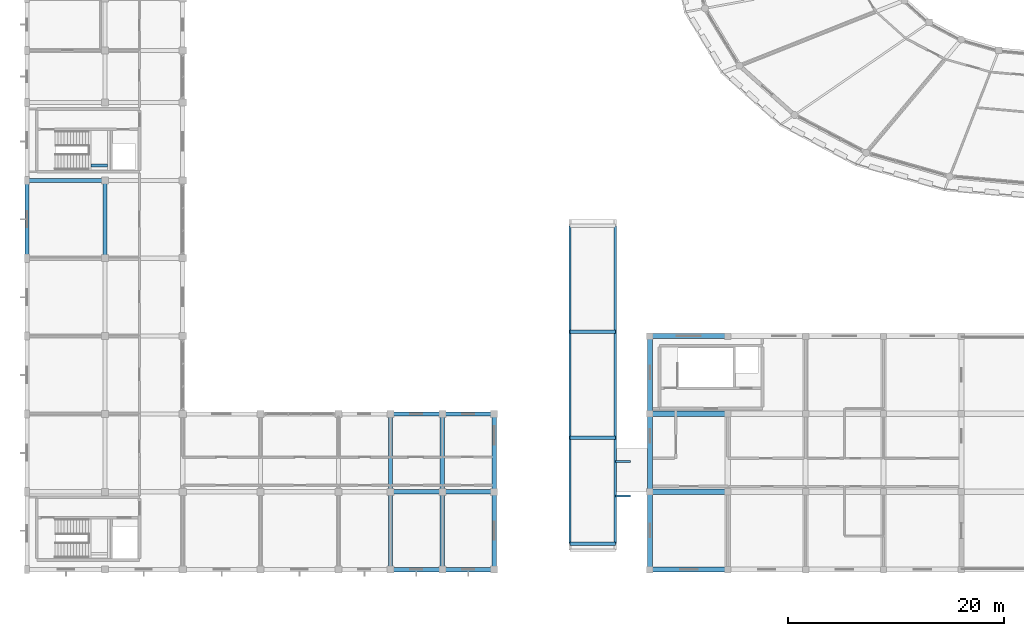
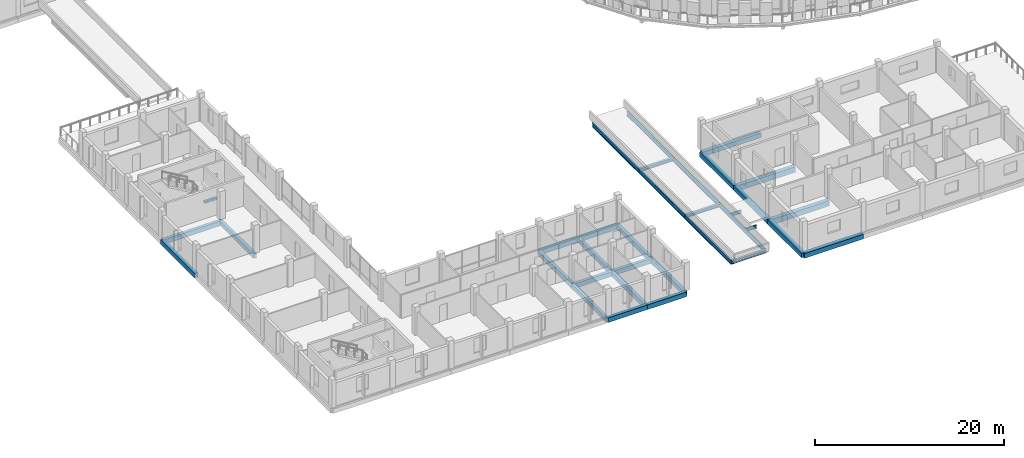
# One storey, part 8 of 93: 34 beams.
"""IFC4 building model written with IfcOpenShell, lengths in metres."""

from ifc_helpers import new_model, si_unit, direction, frame, origin, origin_2d, place, context, subcontext, project, spatial, rectangle, i_section, extrude, material, material_profile, profile_set, type_object, element, save


model = new_model("IFC4")

# Units and contexts
model_context = context("Model", 3, precision=1e-05, world=origin(), true_north=direction((0.0, 1.0)))
body_context = subcontext(model_context, "Body", "Model", "MODEL_VIEW")
ifc_project = project(units=[si_unit("LENGTHUNIT", "METRE"), si_unit("AREAUNIT", "SQUARE_METRE"), si_unit("VOLUMEUNIT", "CUBIC_METRE"), si_unit("PLANEANGLEUNIT", "RADIAN"), si_unit("MASSUNIT", "GRAM", prefix="KILO")], contexts=[model_context])

# Site, building, storey
site_placement = place(None, origin())
site = spatial("IfcSite", under=ifc_project, at=site_placement, CompositionType="ELEMENT")
building_placement = place(site_placement, origin())
building = spatial("IfcBuilding", under=site, at=building_placement, Name="Zornivar Specialist Clinic", CompositionType="ELEMENT")
storey_placement = place(building_placement, frame((0.0, 0.0, 8.39990234375)))
storey = spatial("IfcBuildingStorey", under=building, at=storey_placement, Name="L02", CompositionType="ELEMENT", Elevation=8.39990234375)

# Beams
ifc_material_1 = material(Name="Concrete C30/37", Category="concrete")
ifc_material_profile_1 = material_profile(ifc_material_1, rectangle(XDim=0.25, YDim=0.300048828125, at=origin_2d()), Name="RC 250x300")
ifc_profile_set_1 = profile_set([ifc_material_profile_1], Name="Concrete C30/37")
beam_type_1 = type_object("IfcBeamType", Name="BM-LAND-250x300", PredefinedType="BEAM", material=ifc_profile_set_1)
beam_1_placement = place(storey_placement, frame((5.93505859375, 37.3798828125, 1.6201171875), z_axis=(1.0, 0.0, 0.0), x_axis=(0.0, 1.0, 0.0)))
element("IfcBeam", 1, at=beam_1_placement, inside=storey, type_object=beam_type_1, Name="bm:stair:C2:L02:lS", PredefinedType="BEAM", context=body_context, shape_type="SweptSolid", body=[
    extrude(rectangle(XDim=0.25, YDim=0.300048828125, at=origin_2d()), origin(), (0.0, 0.0, 1.0), 1.489990234375),
])
ifc_material_2 = material(Name="Concrete C30/37", Category="concrete")
ifc_material_profile_2 = material_profile(ifc_material_2, rectangle(XDim=0.3798828125, YDim=0.60009765625, at=origin_2d()), Name="RC 380x600")
ifc_profile_set_2 = profile_set([ifc_material_profile_2], Name="Concrete C30/37")
beam_type_2 = type_object("IfcBeamType", Name="BM-RC-380x600", PredefinedType="BEAM", material=ifc_profile_set_2)
beam_2_placement = place(storey_placement, frame((33.60009765625, 7.199951171875, -0.579833984375), z_axis=(1.0, 0.0, 0.0), x_axis=(0.0, 1.0, 0.0)))
element("IfcBeam", 2, at=beam_2_placement, inside=storey, type_object=beam_type_2, Name="bm:V2:L02:x:72:5", PredefinedType="BEAM", context=body_context, shape_type="SweptSolid", body=[
    extrude(rectangle(XDim=0.3798828125, YDim=0.60009765625, at=origin_2d()), origin(), (0.0, 0.0, 1.0), 4.7998046875),
])
beam_3_placement = place(storey_placement, frame((38.39990234375, 7.199951171875, -0.579833984375), z_axis=(1.0, 0.0, 0.0), x_axis=(0.0, 1.0, 0.0)))
element("IfcBeam", 3, at=beam_3_placement, inside=storey, type_object=beam_type_2, Name="bm:V2:L02:x:72:6", PredefinedType="BEAM", context=body_context, shape_type="SweptSolid", body=[
    extrude(rectangle(XDim=0.3798828125, YDim=0.60009765625, at=origin_2d()), origin(), (0.0, 0.0, 1.0), 4.800048828125),
])
beam_4_placement = place(storey_placement, frame((33.60009765625, 14.39990234375, -0.579833984375), z_axis=(1.0, 0.0, 0.0), x_axis=(0.0, 1.0, 0.0)))
element("IfcBeam", 4, at=beam_4_placement, inside=storey, type_object=beam_type_2, Name="bm:V2:L02:x:144:5", PredefinedType="BEAM", context=body_context, shape_type="SweptSolid", body=[
    extrude(rectangle(XDim=0.3798828125, YDim=0.60009765625, at=origin_2d()), origin(), (0.0, 0.0, 1.0), 4.7998046875),
])
beam_5_placement = place(storey_placement, frame((38.39990234375, 14.39990234375, -0.579833984375), z_axis=(1.0, 0.0, 0.0), x_axis=(0.0, 1.0, 0.0)))
element("IfcBeam", 5, at=beam_5_placement, inside=storey, type_object=beam_type_2, Name="bm:V2:L02:x:144:6", PredefinedType="BEAM", context=body_context, shape_type="SweptSolid", body=[
    extrude(rectangle(XDim=0.3798828125, YDim=0.60009765625, at=origin_2d()), origin(), (0.0, 0.0, 1.0), 4.800048828125),
])
for number, where, z_axis, x_axis, name in (
    (6, (0.0, 36.0, -0.579833984375), (1.0, 0.0, 0.0), (0.0, 1.0, 0.0), "bm:V2:L02:x:360:0"),
    (7, (7.199951171875, 28.800048828125, -0.579833984375), (0.0, 1.0, 0.0), (-1.0, 0.0, 0.0), "bm:V2:L02:y:72:4"),
    (8, (33.60009765625, 0.0, -0.579833984375), (0.0, 1.0, 0.0), (-1.0, 0.0, 0.0), "bm:V2:L02:y:336:0"),
    (9, (33.60009765625, 7.199951171875, -0.579833984375), (0.0, 1.0, 0.0), (-1.0, 0.0, 0.0), "bm:V2:L02:y:336:1"),
    (10, (38.39990234375, 0.0, -0.579833984375), (0.0, 1.0, 0.0), (-1.0, 0.0, 0.0), "bm:V2:L02:y:384:0"),
    (11, (38.39990234375, 7.199951171875, -0.579833984375), (0.0, 1.0, 0.0), (-1.0, 0.0, 0.0), "bm:V2:L02:y:384:1"),
):
    element("IfcBeam", number, at=place(storey_placement, frame(where, z_axis=z_axis, x_axis=x_axis)), inside=storey, type_object=beam_type_2, Name=name, PredefinedType="BEAM", context=body_context, shape_type="SweptSolid", body=[
        extrude(rectangle(XDim=0.3798828125, YDim=0.60009765625, at=origin_2d()), origin(), (0.0, 0.0, 1.0), 7.199951171875),
    ])
ifc_material_3 = material(Name="Concrete C30/37", Category="concrete")
ifc_material_profile_3 = material_profile(ifc_material_3, rectangle(XDim=0.5, YDim=0.699951171875, at=origin_2d()), Name="RC 500x700")
ifc_profile_set_3 = profile_set([ifc_material_profile_3], Name="Concrete C30/37")
beam_type_3 = type_object("IfcBeamType", Name="BM-RC-500x700", PredefinedType="BEAM", material=ifc_profile_set_3)
for number, where, z_axis, x_axis, name in (
    (12, (57.60009765625, 7.199951171875, -0.699951171875), (1.0, 0.0, 0.0), (0.0, 1.0, 0.0), "bm:V3:L02:x:72:0"),
    (13, (57.60009765625, 14.39990234375, -0.699951171875), (1.0, 0.0, 0.0), (0.0, 1.0, 0.0), "bm:V3:L02:x:144:0"),
):
    element("IfcBeam", number, at=place(storey_placement, frame(where, z_axis=z_axis, x_axis=x_axis)), inside=storey, type_object=beam_type_3, Name=name, PredefinedType="BEAM", context=body_context, shape_type="SweptSolid", body=[
        extrude(rectangle(XDim=0.5, YDim=0.699951171875, at=origin_2d()), origin(), (0.0, 0.0, 1.0), 7.199951171875),
    ])
ifc_material_4 = material(Name="Concrete C30/37", Category="concrete")
ifc_material_profile_4 = material_profile(ifc_material_4, rectangle(XDim=0.389892578125, YDim=0.60009765625, at=origin_2d()), Name="RC 390x600")
ifc_profile_set_4 = profile_set([ifc_material_profile_4], Name="Concrete C30/37")
beam_type_4 = type_object("IfcBeamType", Name="BM-RC-SPANDREL-390x600", PredefinedType="SPANDREL", material=ifc_profile_set_4)
beam_6_placement = place(storey_placement, frame((33.60009765625, 0.0, -0.579833984375), z_axis=(1.0, 0.0, 0.0), x_axis=(0.0, 1.0, 0.0)))
element("IfcBeam", 14, at=beam_6_placement, inside=storey, type_object=beam_type_4, Name="bm:V2:L02:x:0:5", PredefinedType="SPANDREL", context=body_context, shape_type="SweptSolid", body=[
    extrude(rectangle(XDim=0.389892578125, YDim=0.60009765625, at=origin_2d()), origin(), (0.0, 0.0, 1.0), 4.7998046875),
])
beam_7_placement = place(storey_placement, frame((38.39990234375, 0.0, -0.579833984375), z_axis=(1.0, 0.0, 0.0), x_axis=(0.0, 1.0, 0.0)))
element("IfcBeam", 15, at=beam_7_placement, inside=storey, type_object=beam_type_4, Name="bm:V2:L02:x:0:6", PredefinedType="SPANDREL", context=body_context, shape_type="SweptSolid", body=[
    extrude(rectangle(XDim=0.389892578125, YDim=0.60009765625, at=origin_2d()), origin(), (0.0, 0.0, 1.0), 4.800048828125),
])
for number, where, z_axis, x_axis, name in (
    (16, (0.0, 28.800048828125, -0.579833984375), (0.0, 1.0, 0.0), (-1.0, 0.0, 0.0), "bm:V2:L02:y:0:4"),
    (17, (43.199951171875, 0.0, -0.579833984375), (0.0, 1.0, 0.0), (-1.0, 0.0, 0.0), "bm:V2:L02:y:432:0"),
    (18, (43.199951171875, 7.199951171875, -0.579833984375), (0.0, 1.0, 0.0), (-1.0, 0.0, 0.0), "bm:V2:L02:y:432:1"),
):
    element("IfcBeam", number, at=place(storey_placement, frame(where, z_axis=z_axis, x_axis=x_axis)), inside=storey, type_object=beam_type_4, Name=name, PredefinedType="SPANDREL", context=body_context, shape_type="SweptSolid", body=[
        extrude(rectangle(XDim=0.389892578125, YDim=0.60009765625, at=origin_2d()), origin(), (0.0, 0.0, 1.0), 7.199951171875),
    ])
ifc_material_5 = material(Name="Concrete C30/37", Category="concrete")
ifc_material_profile_5 = material_profile(ifc_material_5, rectangle(XDim=0.4599609375, YDim=0.60009765625, at=origin_2d()), Name="RC 460x600")
ifc_profile_set_5 = profile_set([ifc_material_profile_5], Name="Concrete C30/37")
beam_type_5 = type_object("IfcBeamType", Name="BM-RC-SPANDREL-460x600", PredefinedType="SPANDREL", material=ifc_profile_set_5)
for number, where, z_axis, x_axis, name in (
    (19, (57.60009765625, 0.0, -0.64990234375), (1.0, 0.0, 0.0), (0.0, 1.0, 0.0), "bm:V3:L02:x:0:0"),
    (20, (57.60009765625, 21.60009765625, -0.64990234375), (1.0, 0.0, 0.0), (0.0, 1.0, 0.0), "bm:V3:L02:x:216:0"),
    (21, (57.60009765625, 0.0, -0.64990234375), (0.0, 1.0, 0.0), (-1.0, 0.0, 0.0), "bm:V3:L02:y:576:0"),
    (22, (57.60009765625, 7.199951171875, -0.64990234375), (0.0, 1.0, 0.0), (-1.0, 0.0, 0.0), "bm:V3:L02:y:576:1"),
):
    element("IfcBeam", number, at=place(storey_placement, frame(where, z_axis=z_axis, x_axis=x_axis)), inside=storey, type_object=beam_type_5, Name=name, PredefinedType="SPANDREL", context=body_context, shape_type="SweptSolid", body=[
        extrude(rectangle(XDim=0.4599609375, YDim=0.60009765625, at=origin_2d()), origin(), (0.0, 0.0, 1.0), 7.199951171875),
    ])
beam_8_placement = place(storey_placement, frame((57.60009765625, 14.39990234375, -0.64990234375), z_axis=(0.0, 1.0, 0.0), x_axis=(-1.0, 0.0, 0.0)))
element("IfcBeam", 23, at=beam_8_placement, inside=storey, type_object=beam_type_5, Name="bm:V3:L02:y:576:2", PredefinedType="SPANDREL", context=body_context, shape_type="SweptSolid", body=[
    extrude(rectangle(XDim=0.4599609375, YDim=0.60009765625, at=origin_2d()), origin(), (0.0, 0.0, 1.0), 7.2001953125),
])
ifc_material_6 = material(Name="Steel S355J2", Category="steel")
ifc_material_profile_6 = material_profile(ifc_material_6, i_section(OverallWidth=0.300048828125, OverallDepth=0.39990234375, WebThickness=0.013427734375, FlangeThickness=0.02392578125, FilletRadius=0.027099609375, at=origin_2d()), Name="HEB 400")
ifc_profile_set_6 = profile_set([ifc_material_profile_6], Name="Steel S355J2")
beam_type_6 = type_object("IfcBeamType", Name="BM-STL-HEB400", PredefinedType="BEAM", material=ifc_profile_set_6)
for number, where, z_axis, x_axis, name in (
    (24, (50.199951171875, 2.39990234375, -0.419921875), (1.0, 0.0, 0.0), (0.0, 1.0, 0.0), "bm:BR1:L02:t:24"),
    (25, (50.199951171875, 12.199951171875, -0.419921875), (1.0, 0.0, 0.0), (0.0, 1.0, 0.0), "bm:BR1:L02:t:122"),
    (26, (50.199951171875, 22.0, -0.419921875), (1.0, 0.0, 0.0), (0.0, 1.0, 0.0), "bm:BR1:L02:t:220"),
):
    element("IfcBeam", number, at=place(storey_placement, frame(where, z_axis=z_axis, x_axis=x_axis)), inside=storey, type_object=beam_type_6, Name=name, PredefinedType="BEAM", context=body_context, shape_type="SweptSolid", body=[
        extrude(i_section(OverallWidth=0.300048828125, OverallDepth=0.39990234375, WebThickness=0.013427734375, FlangeThickness=0.02392578125, FilletRadius=0.027099609375, at=origin_2d()), origin(), (0.0, 0.0, 1.0), 4.199951171875),
    ])
ifc_material_7 = material(Name="Steel S355J2", Category="steel")
ifc_material_profile_7 = material_profile(ifc_material_7, i_section(OverallWidth=0.179931640625, OverallDepth=0.39990234375, WebThickness=0.008544921875, FlangeThickness=0.013427734375, FilletRadius=0.02099609375, at=origin_2d()), Name="IPE 400")
ifc_profile_set_7 = profile_set([ifc_material_profile_7], Name="Steel S355J2")
beam_type_7 = type_object("IfcBeamType", Name="BM-STL-IPE400", PredefinedType="BEAM", material=ifc_profile_set_7)
for number, where, z_axis, x_axis, name in (
    (27, (54.39990234375, 6.800048828125, -0.419921875), (1.0, 0.0, 0.0), (0.0, 1.0, 0.0), "bm:BR1:L02:spur:68"),
    (28, (54.39990234375, 10.0, -0.419921875), (1.0, 0.0, 0.0), (0.0, 1.0, 0.0), "bm:BR1:L02:spur:100"),
):
    element("IfcBeam", number, at=place(storey_placement, frame(where, z_axis=z_axis, x_axis=x_axis)), inside=storey, type_object=beam_type_7, Name=name, PredefinedType="BEAM", context=body_context, shape_type="SweptSolid", body=[
        extrude(i_section(OverallWidth=0.179931640625, OverallDepth=0.39990234375, WebThickness=0.008544921875, FlangeThickness=0.013427734375, FilletRadius=0.02099609375, at=origin_2d()), origin(), (0.0, 0.0, 1.0), 1.400146484375),
    ])
ifc_material_8 = material(Name="Steel S355J2", Category="steel")
ifc_material_profile_8 = material_profile(ifc_material_8, i_section(OverallWidth=0.199951171875, OverallDepth=0.5, WebThickness=0.01025390625, FlangeThickness=0.01611328125, FilletRadius=0.02099609375, at=origin_2d()), Name="IPE 500")
ifc_profile_set_8 = profile_set([ifc_material_profile_8], Name="Steel S355J2")
beam_type_8 = type_object("IfcBeamType", Name="BM-STL-IPE500", PredefinedType="BEAM", material=ifc_profile_set_8)
for number, where, z_axis, x_axis, name in (
    (29, (50.199951171875, 2.39990234375, -0.469970703125), (0.0, 1.0, 0.0), (-1.0, 0.0, 0.0), "bm:BR1:L02:g:502:0"),
    (30, (50.199951171875, 12.199951171875, -0.469970703125), (0.0, 1.0, 0.0), (-1.0, 0.0, 0.0), "bm:BR1:L02:g:502:1"),
    (31, (50.199951171875, 22.0, -0.469970703125), (0.0, 1.0, 0.0), (-1.0, 0.0, 0.0), "bm:BR1:L02:g:502:2"),
    (32, (54.39990234375, 2.39990234375, -0.469970703125), (0.0, 1.0, 0.0), (-1.0, 0.0, 0.0), "bm:BR1:L02:g:544:0"),
    (33, (54.39990234375, 12.199951171875, -0.469970703125), (0.0, 1.0, 0.0), (-1.0, 0.0, 0.0), "bm:BR1:L02:g:544:1"),
    (34, (54.39990234375, 22.0, -0.469970703125), (0.0, 1.0, 0.0), (-1.0, 0.0, 0.0), "bm:BR1:L02:g:544:2"),
):
    element("IfcBeam", number, at=place(storey_placement, frame(where, z_axis=z_axis, x_axis=x_axis)), inside=storey, type_object=beam_type_8, Name=name, PredefinedType="BEAM", context=body_context, shape_type="SweptSolid", body=[
        extrude(i_section(OverallWidth=0.199951171875, OverallDepth=0.5, WebThickness=0.01025390625, FlangeThickness=0.01611328125, FilletRadius=0.02099609375, at=origin_2d()), origin(), (0.0, 0.0, 1.0), 9.800048828125),
    ])

save(model, "model.ifc")
